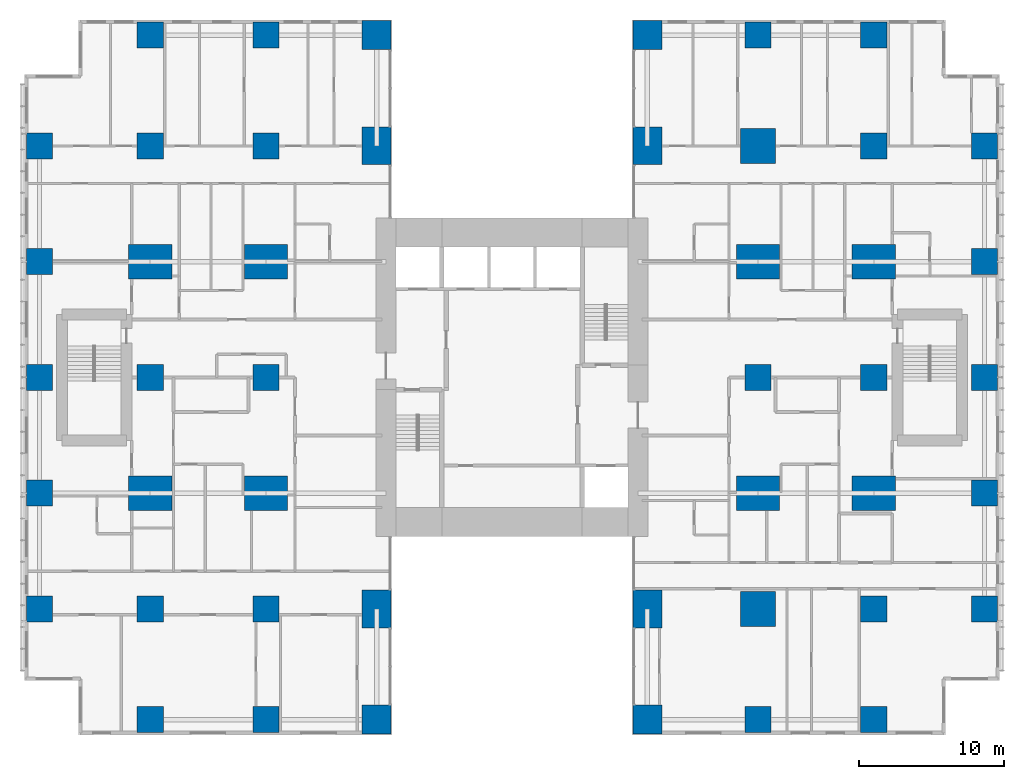
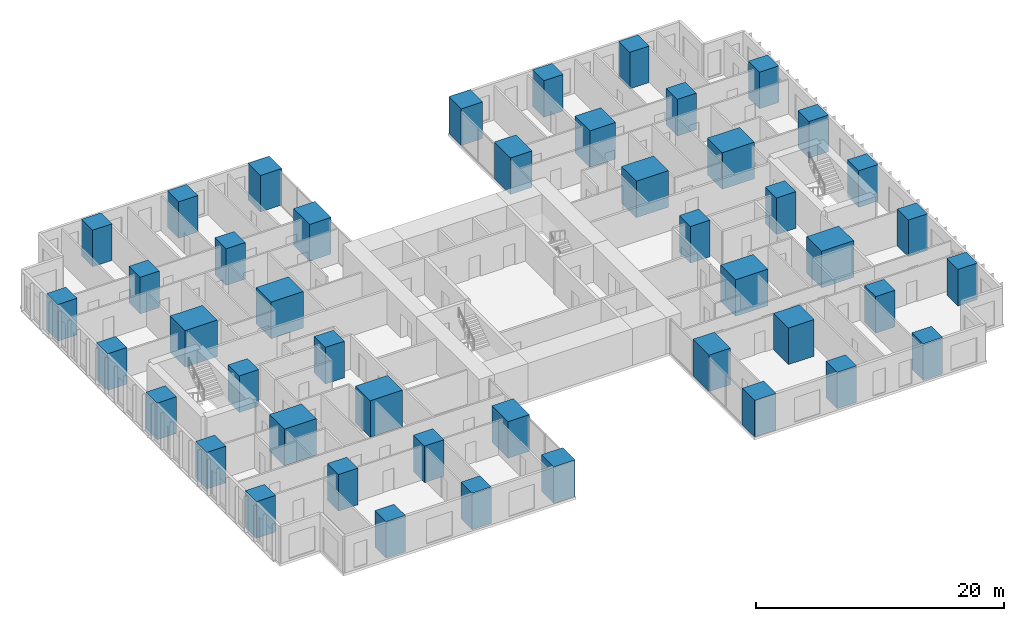
# One storey, part 1 of 20: 46 columns.
"""IFC4 building model written with IfcOpenShell, lengths in metres."""

from ifc_helpers import new_model, si_unit, direction, frame, origin, origin_2d, place, context, subcontext, project, spatial, rectangle, extrude, material, material_profile, profile_set, type_object, element, save


model = new_model("IFC4")

# Units and contexts
model_context = context("Model", 3, precision=1e-05, world=origin(), true_north=direction((0.0, 1.0)))
body_context = subcontext(model_context, "Body", "Model", "MODEL_VIEW")
ifc_project = project(units=[si_unit("LENGTHUNIT", "METRE"), si_unit("AREAUNIT", "SQUARE_METRE"), si_unit("VOLUMEUNIT", "CUBIC_METRE"), si_unit("PLANEANGLEUNIT", "RADIAN"), si_unit("MASSUNIT", "GRAM", prefix="KILO")], contexts=[model_context])

# Site, building, storey
site_placement = place(None, origin())
site = spatial("IfcSite", under=ifc_project, at=site_placement, CompositionType="ELEMENT")
building_placement = place(site_placement, origin())
building = spatial("IfcBuilding", under=site, at=building_placement, Name="Cleftline Residences", CompositionType="ELEMENT")
storey_placement = place(building_placement, frame((0.0, 0.0, 189.39990234375)))
storey = spatial("IfcBuildingStorey", under=building, at=storey_placement, Name="L49", CompositionType="ELEMENT", Elevation=189.39990234375)

# Columns
ifc_material_1 = material(Name="Concrete B70", Category="concrete")
ifc_material_profile_1 = material_profile(ifc_material_1, rectangle(XDim=1.800048828125, YDim=1.800048828125, at=origin_2d()))
ifc_profile_set_1 = profile_set([ifc_material_profile_1], Name="Concrete B70")
column_type_1 = type_object("IfcColumnType", Name="COLUMN RC1800X1800", PredefinedType="COLUMN", material=ifc_profile_set_1)
for number, where, z_axis, x_axis, name in (
    (1, (0.35009765625, 8.0, 0.0), (0.0, 0.0, 1.0), (1.0, 0.0, 0.0), "Column D/3"),
    (2, (0.35009765625, 16.0, 0.0), (0.0, 0.0, 1.0), (1.0, 0.0, 0.0), "Column E/3"),
    (3, (0.35009765625, 24.0, 0.0), (0.0, 0.0, 1.0), (1.0, 0.0, 0.0), "Column F/3"),
    (4, (0.35009765625, 32.0, 0.0), (0.0, 0.0, 1.0), (1.0, 0.0, 0.0), "Column G/3"),
    (5, (0.35009765625, 40.0, 0.0), (0.0, 0.0, 1.0), (1.0, 0.0, 0.0), "Column H/3"),
    (6, (8.0, 0.35009765625, 0.0), (0.0, 0.0, 1.0), (1.0, 0.0, 0.0), "Column C/4"),
    (7, (8.0, 8.0, 0.0), (0.0, 0.0, 1.0), (1.0, 0.0, 0.0), "Column D/4"),
    (8, (8.0, 24.0, 0.0), (0.0, 0.0, 1.0), (1.0, 0.0, 0.0), "Column F/4"),
    (9, (8.0, 40.0, 0.0), (0.0, 0.0, 1.0), (1.0, 0.0, 0.0), "Column H/4"),
    (10, (8.0, 47.64990234375, 0.0), (0.0, 0.0, 1.0), (1.0, 0.0, 0.0), "Column J/4"),
    (11, (16.0, 0.35009765625, 0.0), (0.0, 0.0, 1.0), (1.0, 0.0, 0.0), "Column C/5"),
    (12, (16.0, 8.0, 0.0), (0.0, 0.0, 1.0), (1.0, 0.0, 0.0), "Column D/5"),
    (13, (16.0, 24.0, 0.0), (0.0, 0.0, 1.0), (1.0, 0.0, 0.0), "Column F/5"),
    (14, (16.0, 40.0, 0.0), (0.0, 0.0, 1.0), (1.0, 0.0, 0.0), "Column H/5"),
    (15, (16.0, 47.64990234375, 0.0), (0.0, 0.0, 1.0), (1.0, 0.0, 0.0), "Column J/5"),
    (16, (50.0, 0.35009765625, 0.0), (0.0, 0.0, 1.0), (1.0, 0.0, 0.0), "Column C/9"),
    (17, (50.0, 24.0, 0.0), (0.0, 0.0, 1.0), (1.0, 0.0, 0.0), "Column F/9"),
    (18, (50.0, 47.64990234375, 0.0), (0.0, 0.0, 1.0), (1.0, 0.0, 0.0), "Column J/9"),
    (19, (58.0, 0.35009765625, 0.0), (0.0, 0.0, 1.0), (1.0, 0.0, 0.0), "Column C/10"),
    (20, (58.0, 8.0, 0.0), (0.0, 0.0, 1.0), (1.0, 0.0, 0.0), "Column D/10"),
    (21, (58.0, 24.0, 0.0), (0.0, 0.0, 1.0), (1.0, 0.0, 0.0), "Column F/10"),
    (22, (58.0, 40.0, 0.0), (0.0, 0.0, 1.0), (1.0, 0.0, 0.0), "Column H/10"),
    (23, (58.0, 47.64990234375, 0.0), (0.0, 0.0, 1.0), (1.0, 0.0, 0.0), "Column J/10"),
    (24, (65.64990234375, 8.0, 0.0), (0.0, 0.0, 1.0), (1.0, 0.0, 0.0), "Column D/11"),
    (25, (65.64990234375, 16.0, 0.0), (0.0, 0.0, 1.0), (1.0, 0.0, 0.0), "Column E/11"),
    (26, (65.64990234375, 24.0, 0.0), (0.0, 0.0, 1.0), (1.0, 0.0, 0.0), "Column F/11"),
    (27, (65.64990234375, 32.0, 0.0), (0.0, 0.0, 1.0), (1.0, 0.0, 0.0), "Column G/11"),
    (28, (65.64990234375, 40.0, 0.0), (0.0, 0.0, 1.0), (1.0, 0.0, 0.0), "Column H/11"),
):
    element("IfcColumn", number, at=place(storey_placement, frame(where, z_axis=z_axis, x_axis=x_axis)), inside=storey, type_object=column_type_1, Name=name, PredefinedType="COLUMN", context=body_context, shape_type="SweptSolid", body=[
        extrude(rectangle(XDim=1.800048828125, YDim=1.800048828125, at=origin_2d()), origin(), (0.0, 0.0, 1.0), 3.60009765625),
    ])
ifc_material_2 = material(Name="Concrete B70", Category="concrete")
ifc_material_profile_2 = material_profile(ifc_material_2, rectangle(XDim=2.0, YDim=2.0, at=origin_2d()))
ifc_profile_set_2 = profile_set([ifc_material_profile_2], Name="Concrete B70")
column_type_2 = type_object("IfcColumnType", Name="COLUMN RC2000X2000", PredefinedType="COLUMN", material=ifc_profile_set_2)
for number, where, z_axis, x_axis, name in (
    (29, (23.64990234375, 0.35009765625, 0.0), (0.0, 0.0, 1.0), (1.0, 0.0, 0.0), "Column C/6"),
    (30, (23.64990234375, 47.64990234375, 0.0), (0.0, 0.0, 1.0), (1.0, 0.0, 0.0), "Column J/6"),
    (31, (42.35009765625, 0.35009765625, 0.0), (0.0, 0.0, 1.0), (1.0, 0.0, 0.0), "Column C/8"),
    (32, (42.35009765625, 47.64990234375, 0.0), (0.0, 0.0, 1.0), (1.0, 0.0, 0.0), "Column J/8"),
):
    element("IfcColumn", number, at=place(storey_placement, frame(where, z_axis=z_axis, x_axis=x_axis)), inside=storey, type_object=column_type_2, Name=name, PredefinedType="COLUMN", context=body_context, shape_type="SweptSolid", body=[
        extrude(rectangle(XDim=2.0, YDim=2.0, at=origin_2d()), origin(), (0.0, 0.0, 1.0), 3.60009765625),
    ])
ifc_material_3 = material(Name="Concrete B70", Category="concrete")
ifc_material_profile_3 = material_profile(ifc_material_3, rectangle(XDim=2.0, YDim=2.60009765625, at=origin_2d()))
ifc_profile_set_3 = profile_set([ifc_material_profile_3], Name="Concrete B70")
column_type_3 = type_object("IfcColumnType", Name="COLUMN RC2000X2600", PredefinedType="COLUMN", material=ifc_profile_set_3)
for number, where, z_axis, x_axis, name in (
    (33, (23.64990234375, 8.0, 0.0), (0.0, 0.0, 1.0), (1.0, 0.0, 0.0), "Column D/6"),
    (34, (23.64990234375, 40.0, 0.0), (0.0, 0.0, 1.0), (1.0, 0.0, 0.0), "Column H/6"),
    (35, (42.35009765625, 8.0, 0.0), (0.0, 0.0, 1.0), (1.0, 0.0, 0.0), "Column D/8"),
    (36, (42.35009765625, 40.0, 0.0), (0.0, 0.0, 1.0), (1.0, 0.0, 0.0), "Column H/8"),
):
    element("IfcColumn", number, at=place(storey_placement, frame(where, z_axis=z_axis, x_axis=x_axis)), inside=storey, type_object=column_type_3, Name=name, PredefinedType="COLUMN", context=body_context, shape_type="SweptSolid", body=[
        extrude(rectangle(XDim=2.0, YDim=2.60009765625, at=origin_2d()), origin(), (0.0, 0.0, 1.0), 3.60009765625),
    ])
ifc_material_4 = material(Name="Concrete B70", Category="concrete")
ifc_material_profile_4 = material_profile(ifc_material_4, rectangle(XDim=2.39990234375, YDim=2.39990234375, at=origin_2d()))
ifc_profile_set_4 = profile_set([ifc_material_profile_4], Name="Concrete B70")
column_type_4 = type_object("IfcColumnType", Name="COLUMN RC2400X2400", PredefinedType="COLUMN", material=ifc_profile_set_4)
for number, where, z_axis, x_axis, name in (
    (37, (50.0, 8.0, 0.0), (0.0, 0.0, 1.0), (1.0, 0.0, 0.0), "Column D/9"),
    (38, (50.0, 40.0, 0.0), (0.0, 0.0, 1.0), (1.0, 0.0, 0.0), "Column H/9"),
):
    element("IfcColumn", number, at=place(storey_placement, frame(where, z_axis=z_axis, x_axis=x_axis)), inside=storey, type_object=column_type_4, Name=name, PredefinedType="COLUMN", context=body_context, shape_type="SweptSolid", body=[
        extrude(rectangle(XDim=2.39990234375, YDim=2.39990234375, at=origin_2d()), origin(), (0.0, 0.0, 1.0), 3.60009765625),
    ])
ifc_material_5 = material(Name="Concrete B70", Category="concrete")
ifc_material_profile_5 = material_profile(ifc_material_5, rectangle(XDim=3.0, YDim=2.39990234375, at=origin_2d()))
ifc_profile_set_5 = profile_set([ifc_material_profile_5], Name="Concrete B70")
column_type_5 = type_object("IfcColumnType", Name="COLUMN RC3000X2400", PredefinedType="COLUMN", material=ifc_profile_set_5)
for number, where, z_axis, x_axis, name in (
    (39, (8.0, 16.0, 0.0), (0.0, 0.0, 1.0), (1.0, 0.0, 0.0), "Column E/4"),
    (40, (8.0, 32.0, 0.0), (0.0, 0.0, 1.0), (1.0, 0.0, 0.0), "Column G/4"),
    (41, (16.0, 16.0, 0.0), (0.0, 0.0, 1.0), (1.0, 0.0, 0.0), "Column E/5"),
    (42, (16.0, 32.0, 0.0), (0.0, 0.0, 1.0), (1.0, 0.0, 0.0), "Column G/5"),
    (43, (50.0, 16.0, 0.0), (0.0, 0.0, 1.0), (1.0, 0.0, 0.0), "Column E/9"),
    (44, (50.0, 32.0, 0.0), (0.0, 0.0, 1.0), (1.0, 0.0, 0.0), "Column G/9"),
    (45, (58.0, 16.0, 0.0), (0.0, 0.0, 1.0), (1.0, 0.0, 0.0), "Column E/10"),
    (46, (58.0, 32.0, 0.0), (0.0, 0.0, 1.0), (1.0, 0.0, 0.0), "Column G/10"),
):
    element("IfcColumn", number, at=place(storey_placement, frame(where, z_axis=z_axis, x_axis=x_axis)), inside=storey, type_object=column_type_5, Name=name, PredefinedType="COLUMN", context=body_context, shape_type="SweptSolid", body=[
        extrude(rectangle(XDim=3.0, YDim=2.39990234375, at=origin_2d()), origin(), (0.0, 0.0, 1.0), 3.60009765625),
    ])

save(model, "model.ifc")
